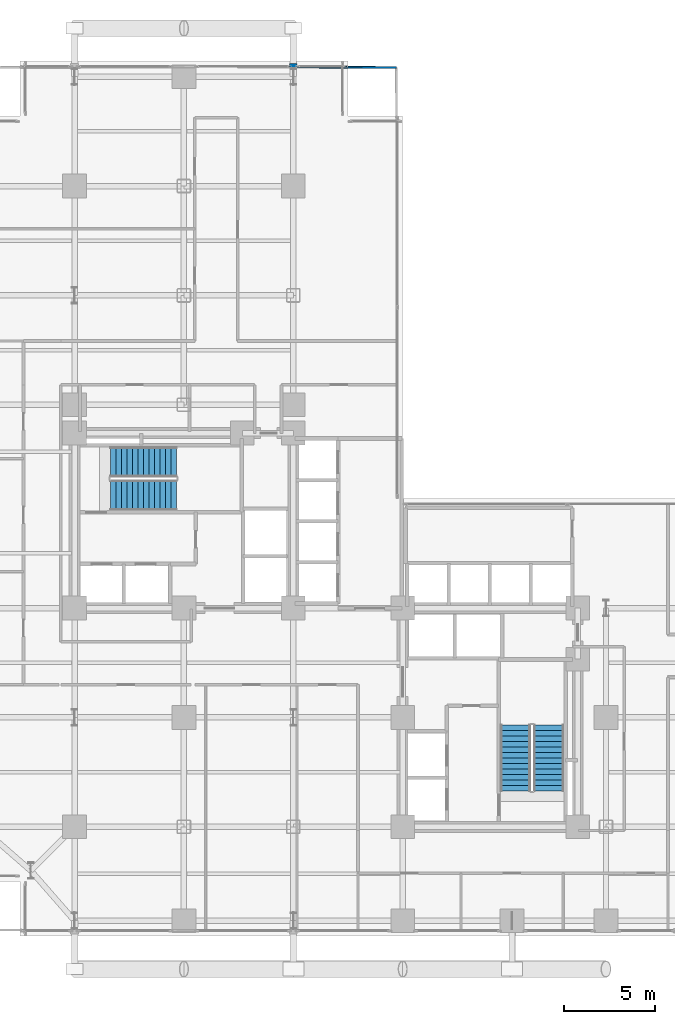
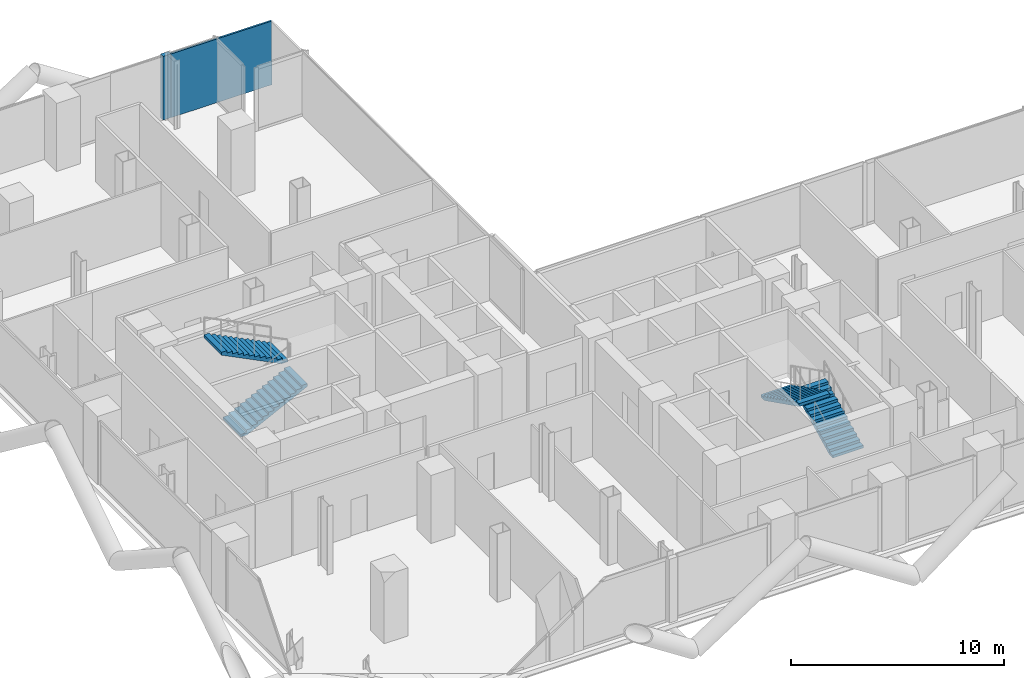
# One storey, part 24 of 27: 4 stair flights, 2 walls, 2 elements without a shape of their own.
"""IFC4 building model written with IfcOpenShell, lengths in metres."""

import ifcopenshell
import ifcopenshell.guid

model = None  # the IFC model being written
_history = None  # IfcOwnerHistory: only IFC2X3 demands one
_inside = {}  # id of a spatial element -> (the spatial element, [elements in it])
_under = {}  # id of a project, library or spatial element -> (it, [spatial elements below it])
_declared = {}  # id of a project -> (the project, [libraries it declares])
_typed = {}  # id of a type object -> (the type object, [elements of that type])
_made_of = {}  # id of a material, layer set ... -> (it, [elements and type objects made of it])


def new_model(schema):
    """Start an empty IFC model of exactly this schema.

    Asked for "IFC4X3", IfcOpenShell would pick the latest addendum, in which some entities
    have other attributes; the version numbers below select the first issue.
    IFC2X3 requires an IfcOwnerHistory on every rooted entity: one is made here for all.
    """
    global model, _history
    if schema == "IFC4X3":
        model = ifcopenshell.file(schema_version=(4, 3, 0, 0))
    else:
        model = ifcopenshell.file(schema=schema)
    _inside.clear()
    _under.clear()
    _declared.clear()
    _typed.clear()
    _made_of.clear()
    _history = None
    if model.schema == "IFC2X3":
        org = make("IfcOrganization", Name="unknown")
        user = make(
            "IfcPersonAndOrganization",
            ThePerson=make("IfcPerson", FamilyName="unknown"),
            TheOrganization=org,
        )
        app = make(
            "IfcApplication",
            ApplicationDeveloper=org,
            Version="unknown",
            ApplicationFullName="unknown",
            ApplicationIdentifier="unknown",
        )
        _history = make(
            "IfcOwnerHistory",
            OwningUser=user,
            OwningApplication=app,
            ChangeAction="ADDED",
            CreationDate=0,
        )
    return model


def make(cls, **values):
    """One entity of the class cls with the attributes given. An attribute that is None is left unset."""
    return model.create_entity(
        cls, **{name: value for name, value in values.items() if value is not None}
    )


def rooted(cls, **values):
    """An entity with a GlobalId (a new one), such as an element, a storey or a relation."""
    return make(cls, GlobalId=ifcopenshell.guid.new(), OwnerHistory=_history, **values)


def si_unit(unit_type, name, prefix=None):
    """IfcSIUnit, for example si_unit("LENGTHUNIT", "METRE", prefix="MILLI")."""
    return make("IfcSIUnit", UnitType=unit_type, Prefix=prefix, Name=name)


def assignment(units):
    """IfcUnitAssignment: the units of a project."""
    return None if units is None else make("IfcUnitAssignment", Units=units)


def point(xyz):
    """IfcCartesianPoint."""
    return None if xyz is None else make("IfcCartesianPoint", Coordinates=xyz)


def direction(xyz):
    """IfcDirection."""
    return None if xyz is None else make("IfcDirection", DirectionRatios=xyz)


def frame(location, z_axis=None, x_axis=None):
    """IfcAxis2Placement3D, a coordinate frame: its origin and axes. An axis left out is left unset."""
    return make(
        "IfcAxis2Placement3D",
        Location=point(location),
        Axis=direction(z_axis),
        RefDirection=direction(x_axis),
    )


def frame_2d(location, x_axis=None):
    """IfcAxis2Placement2D, a coordinate frame in the plane: its origin and x axis."""
    return make(
        "IfcAxis2Placement2D", Location=point(location), RefDirection=direction(x_axis)
    )


def origin():
    """The frame at (0, 0, 0) with its axes left unset."""
    return frame((0.0, 0.0, 0.0))


def place(relative_to, where):
    """IfcLocalPlacement: puts the frame where relative to a parent placement (None: the world)."""
    return make(
        "IfcLocalPlacement", PlacementRelTo=relative_to, RelativePlacement=where
    )


def context(
    kind, dimensions, precision=None, world=None, true_north=None, identifier=None
):
    """IfcGeometricRepresentationContext, for example the 3D "Model" context."""
    return make(
        "IfcGeometricRepresentationContext",
        ContextIdentifier=identifier,
        ContextType=kind,
        CoordinateSpaceDimension=dimensions,
        Precision=precision,
        WorldCoordinateSystem=world,
        TrueNorth=true_north,
    )


def subcontext(parent, identifier, kind, view, scale=None):
    """IfcGeometricRepresentationSubContext, for example "Body" below "Model"."""
    return make(
        "IfcGeometricRepresentationSubContext",
        ContextIdentifier=identifier,
        ContextType=kind,
        ParentContext=parent,
        TargetScale=scale,
        TargetView=view,
    )


def project(units=None, contexts=None):
    """IfcProject with its units and contexts."""
    return rooted(
        "IfcProject",
        Name="project",
        RepresentationContexts=contexts,
        UnitsInContext=assignment(units),
    )


def spatial(cls, under=None, at=None, **own):
    """A site, building, storey or space (cls), placed at a placement, below another one or the project."""
    s = rooted(cls, ObjectPlacement=at, **own)
    if under is not None:
        _under.setdefault(under.id(), (under, []))[1].append(s)
    return s


def polyline(points):
    """IfcPolyline through the points."""
    return make("IfcPolyline", Points=[point(p) for p in points])


def profile(cls, at=None, kind="AREA", **sizes):
    """A parametric profile (cls). Its sizes go by their IFC names, for example OverallWidth=200.0."""
    return make(cls, ProfileType=kind, Position=at, **sizes)


def rectangle(**sizes):
    """IfcRectangleProfileDef."""
    return profile("IfcRectangleProfileDef", **sizes)


def outline(outer, holes=None, kind="AREA"):
    """IfcArbitraryClosedProfileDef: a profile drawn as a closed curve; with holes, ...WithVoids."""
    if holes is None:
        return make("IfcArbitraryClosedProfileDef", ProfileType=kind, OuterCurve=outer)
    return make(
        "IfcArbitraryProfileDefWithVoids",
        ProfileType=kind,
        OuterCurve=outer,
        InnerCurves=holes,
    )


def extrude(swept, where, along, depth):
    """IfcExtrudedAreaSolid: the profile swept, set in the frame where, extruded along a direction by depth."""
    return make(
        "IfcExtrudedAreaSolid",
        SweptArea=swept,
        Position=where,
        ExtrudedDirection=direction(along),
        Depth=depth,
    )


def shape(context_of_items, identifier, shape_type, items):
    """IfcShapeRepresentation: the items that make up one representation, for example the "Body"."""
    return make(
        "IfcShapeRepresentation",
        ContextOfItems=context_of_items,
        RepresentationIdentifier=identifier,
        RepresentationType=shape_type,
        Items=items,
    )


def material(Name=None, Category=None):
    """IfcMaterial."""
    return make("IfcMaterial", Name=Name, Category=Category)


def layer(
    of_material, thickness, ventilated=None, Name=None, Category=None, Priority=None
):
    """IfcMaterialLayer: one layer of a wall or slab, of a material (None: an air gap)."""
    return make(
        "IfcMaterialLayer",
        Material=of_material,
        LayerThickness=thickness,
        IsVentilated=ventilated,
        Name=Name,
        Category=Category,
        Priority=Priority,
    )


def layer_set(layers, Name=None):
    """IfcMaterialLayerSet."""
    return make("IfcMaterialLayerSet", MaterialLayers=layers, LayerSetName=Name)


def made_of(thing, what):
    """Note that an element or type object is made of a material, layer set ...; save() writes the relation."""
    if what is not None:
        _made_of.setdefault(what.id(), (what, []))[1].append(thing)
    return thing


def type_object(cls, material=None, **own):
    """A type object (cls), such as IfcWallType, which elements share."""
    return made_of(rooted(cls, **own), material)


def element(
    cls,
    number,
    at=None,
    inside=None,
    cuts=None,
    type_object=None,
    material=None,
    context=None,
    identifier="Body",
    shape_type=None,
    held_by="IfcProductDefinitionShape",
    body=None,
    shapes=None,
    **own,
):
    """One element of the class cls, such as IfcWall. Its Tag is "e" and its number.

    at: its placement. inside: the storey or other place that contains it. cuts: it is an
    opening in that element (IfcRelVoidsElement). A single representation is given by context,
    identifier, shape_type and body (its items); several are given by shapes. held_by: the class
    of the entity that holds the representations. save() writes the other relations.
    """
    e = rooted(cls, Tag="e%d" % number, ObjectPlacement=at, **own)
    if body is not None:
        shapes = [shape(context, identifier, shape_type, body)]
    if shapes is not None:
        e.Representation = make(held_by, Representations=shapes)
    if inside is not None:
        _inside.setdefault(inside.id(), (inside, []))[1].append(e)
    if cuts is not None:
        rooted(
            "IfcRelVoidsElement", RelatingBuildingElement=cuts, RelatedOpeningElement=e
        )
    if type_object is not None:
        _typed.setdefault(type_object.id(), (type_object, []))[1].append(e)
    return made_of(e, material)


def aggregate(whole, parts):
    """IfcRelAggregates: a whole, such as a stair, and the parts it consists of."""
    return rooted("IfcRelAggregates", RelatingObject=whole, RelatedObjects=parts)


def save(model, path):
    """Write the relations noted so far, then the file.

    IfcRelAggregates (storeys below a building ...), IfcRelContainedInSpatialStructure (elements
    in a storey), IfcRelDefinesByType, IfcRelAssociatesMaterial and IfcRelDeclares: one each for
    every whole, place, type object, material and project.
    """
    for whole, parts in _under.values():
        aggregate(whole, parts)
    for where, things in _inside.values():
        rooted(
            "IfcRelContainedInSpatialStructure",
            RelatedElements=things,
            RelatingStructure=where,
        )
    for kind, things in _typed.values():
        rooted("IfcRelDefinesByType", RelatedObjects=things, RelatingType=kind)
    for what, things in _made_of.values():
        rooted("IfcRelAssociatesMaterial", RelatedObjects=things, RelatingMaterial=what)
    for by, libraries in _declared.values():
        rooted("IfcRelDeclares", RelatingContext=by, RelatedDefinitions=libraries)
    model.write(path)


model = new_model("IFC4")

# Units and contexts
model_context = context("Model", 3, precision=1e-05, world=origin(), true_north=direction((0.0, 1.0)))
body_context = subcontext(model_context, "Body", "Model", "MODEL_VIEW")
ifc_project = project(units=[si_unit("LENGTHUNIT", "METRE"), si_unit("AREAUNIT", "SQUARE_METRE"), si_unit("VOLUMEUNIT", "CUBIC_METRE"), si_unit("PLANEANGLEUNIT", "RADIAN"), si_unit("MASSUNIT", "GRAM", prefix="KILO"), si_unit("THERMODYNAMICTEMPERATUREUNIT", "KELVIN"), si_unit("POWERUNIT", "WATT")], contexts=[model_context])

# Site, building, storey
site_placement = place(None, origin())
site = spatial("IfcSite", under=ifc_project, at=site_placement, CompositionType="ELEMENT")
building_placement = place(site_placement, origin())
building = spatial("IfcBuilding", under=site, at=building_placement, Name="Svarakhadi Broadcast Tower", CompositionType="ELEMENT")
storey_placement = place(building_placement, frame((0.0, 0.0, 40.199951171875)))
storey = spatial("IfcBuildingStorey", under=building, at=storey_placement, Name="L08", CompositionType="ELEMENT", Elevation=40.199951171875)

# Walls
ifc_material_1 = material(Name="Concrete C40/50 (IS 456 M50)", Category="concrete")
ifc_layer_1 = layer(ifc_material_1, 0.239990234375)
ifc_layer_set_1 = layer_set([ifc_layer_1], Name="Concrete C40/50 (IS 456 M50)")
wall_type_1 = type_object("IfcWallType", Name="Wall_Ext_240", PredefinedType="SOLIDWALL", material=ifc_layer_set_1)
wall_1_placement = place(storey_placement, frame((17.784912109375, 47.760009765625, 0.0), z_axis=(0.0, 0.0, 1.0), x_axis=(1.0, 0.0, 0.0)))
element("IfcWall", 1, at=wall_1_placement, inside=storey, type_object=wall_type_1, Name="L08 Perimeter Bronze Spandrel Closure Wall 02", PredefinedType="SOLIDWALL", context=body_context, shape_type="SweptSolid", body=[
    extrude(rectangle(XDim=0.43017578125, YDim=0.239990234375, at=frame_2d((0.215087890625, 0.0))), origin(), (0.0, 0.0, 1.0), 3.650146484375),
])
ifc_material_2 = material(Name="Fire-Rated Moisture-Resistant Gypsum Board Partition", Category="gypsum")
ifc_layer_2 = layer(ifc_material_2, 0.10009765625)
ifc_layer_set_2 = layer_set([ifc_layer_2], Name="Fire-Rated Moisture-Resistant Gypsum Board Partition")
wall_type_2 = type_object("IfcWallType", Name="Wall_Part_100", PredefinedType="PARTITIONING", material=ifc_layer_set_2)
wall_2_placement = place(storey_placement, frame((18.215087890625, 47.68115234375, 0.0), z_axis=(0.0, 0.0, 1.0), x_axis=(0.999983469354, -0.005749871258, 0.0)))
element("IfcWall", 2, at=wall_2_placement, inside=storey, type_object=wall_type_2, Name="L08 Broadcast Assignment Hub Wall", PredefinedType="PARTITIONING", context=body_context, shape_type="SweptSolid", body=[
    extrude(rectangle(XDim=5.434814453125, YDim=0.10009765625, at=frame_2d((2.71728515625, 0.0))), origin(), (0.0, 0.0, 1.0), 3.650146484375),
])

# Stair, stair flights
stair_type = type_object("IfcStairType", Name="Stair_Exit_Core", PredefinedType="HALF_TURN_STAIR", material=ifc_material_1)
stair_1_placement = place(storey_placement, origin())
stair_1 = element("IfcStair", 3, at=stair_1_placement, inside=storey, type_object=stair_type, Name="L08 West Core Protected Exit Stair ST-01", PredefinedType="HALF_TURN_STAIR")
stair_flight_type = type_object("IfcStairFlightType", Name="Flight_RC_1680", PredefinedType="STRAIGHT", material=ifc_material_1)
stair_flight_1_placement = place(storey_placement, frame((7.97998046875, 24.18994140625, 0.0), z_axis=(0.0, 0.0, 1.0), x_axis=(1.0, 0.0, 0.0)))
stair_flight_1 = element("IfcStairFlight", 4, at=stair_flight_1_placement, type_object=stair_flight_type, Name="ST-01 flight 1", NumberOfRisers=13, NumberOfTreads=12, PredefinedType="STRAIGHT", RiserHeight=0.15, TreadLength=0.3, context=body_context, shape_type="SweptSolid", body=[
    extrude(outline(polyline([(0.0, 0.0), (0.0, 0.14990234375), (0.300048828125, 0.14990234375), (0.300048828125, 0.300048828125), (0.60009765625, 0.300048828125), (0.60009765625, 0.449951171875), (0.89990234375, 0.449951171875), (0.89990234375, 0.60009765625), (1.199951171875, 0.60009765625), (1.199951171875, 0.75), (1.5, 0.75), (1.5, 0.89990234375), (1.800048828125, 0.89990234375), (1.800048828125, 1.050048828125), (2.10009765625, 1.050048828125), (2.10009765625, 1.199951171875), (2.39990234375, 1.199951171875), (2.39990234375, 1.35009765625), (2.699951171875, 1.35009765625), (2.699951171875, 1.5), (3.0, 1.5), (3.0, 1.64990234375), (3.300048828125, 1.64990234375), (3.300048828125, 1.800048828125), (3.60009765625, 1.800048828125), (3.60009765625, 1.949951171875), (3.60009765625, 1.63232421875), (0.335205078125, 0.0), (0.0, 0.0)])), frame((0.0, 0.830078125, 0.0), z_axis=(0.0, -1.0, 0.0), x_axis=(1.0, 0.0, 0.0)), (0.0, 0.0, 1.0), 1.659912109375),
])
stair_flight_2_placement = place(storey_placement, frame((11.580078125, 26.010009765625, 1.949951171875), z_axis=(0.0, 0.0, 1.0), x_axis=(-1.0, 0.0, 0.0)))
stair_flight_2 = element("IfcStairFlight", 5, at=stair_flight_2_placement, type_object=stair_flight_type, Name="ST-01 flight 2", NumberOfRisers=13, NumberOfTreads=12, PredefinedType="STRAIGHT", RiserHeight=0.15, TreadLength=0.3, context=body_context, shape_type="SweptSolid", body=[
    extrude(outline(polyline([(0.0, 0.0), (0.0, 0.14990234375), (0.300048828125, 0.14990234375), (0.300048828125, 0.300048828125), (0.60009765625, 0.300048828125), (0.60009765625, 0.449951171875), (0.89990234375, 0.449951171875), (0.89990234375, 0.60009765625), (1.199951171875, 0.60009765625), (1.199951171875, 0.75), (1.5, 0.75), (1.5, 0.89990234375), (1.800048828125, 0.89990234375), (1.800048828125, 1.050048828125), (2.10009765625, 1.050048828125), (2.10009765625, 1.199951171875), (2.39990234375, 1.199951171875), (2.39990234375, 1.35009765625), (2.699951171875, 1.35009765625), (2.699951171875, 1.5), (3.0, 1.5), (3.0, 1.64990234375), (3.300048828125, 1.64990234375), (3.300048828125, 1.800048828125), (3.60009765625, 1.800048828125), (3.60009765625, 1.949951171875), (3.60009765625, 1.63232421875), (0.335205078125, 0.0), (0.0, 0.0)])), frame((0.0, 0.830078125, 0.0), z_axis=(0.0, -1.0, 0.0), x_axis=(1.0, 0.0, 0.0)), (0.0, 0.0, 1.0), 1.659912109375),
])
aggregate(stair_1, [stair_flight_1, stair_flight_2])

stair_2_placement = place(storey_placement, origin())
stair_2 = element("IfcStair", 6, at=stair_2_placement, inside=storey, type_object=stair_type, Name="L08 East Core Protected Exit Stair ST-02", PredefinedType="HALF_TURN_STAIR")
stair_flight_3_placement = place(storey_placement, frame((32.010009765625, 7.97998046875, 0.0), z_axis=(0.0, 0.0, 1.0), x_axis=(0.0, 1.0, 0.0)))
stair_flight_3 = element("IfcStairFlight", 7, at=stair_flight_3_placement, type_object=stair_flight_type, Name="ST-02 flight 1", NumberOfRisers=13, NumberOfTreads=12, PredefinedType="STRAIGHT", RiserHeight=0.15, TreadLength=0.3, context=body_context, shape_type="SweptSolid", body=[
    extrude(outline(polyline([(0.0, 0.0), (0.0, 0.14990234375), (0.300048828125, 0.14990234375), (0.300048828125, 0.300048828125), (0.60009765625, 0.300048828125), (0.60009765625, 0.449951171875), (0.89990234375, 0.449951171875), (0.89990234375, 0.60009765625), (1.199951171875, 0.60009765625), (1.199951171875, 0.75), (1.5, 0.75), (1.5, 0.89990234375), (1.800048828125, 0.89990234375), (1.800048828125, 1.050048828125), (2.10009765625, 1.050048828125), (2.10009765625, 1.199951171875), (2.39990234375, 1.199951171875), (2.39990234375, 1.35009765625), (2.699951171875, 1.35009765625), (2.699951171875, 1.5), (3.0, 1.5), (3.0, 1.64990234375), (3.300048828125, 1.64990234375), (3.300048828125, 1.800048828125), (3.60009765625, 1.800048828125), (3.60009765625, 1.949951171875), (3.60009765625, 1.63232421875), (0.335205078125, 0.0), (0.0, 0.0)])), frame((0.0, 0.830078125, 0.0), z_axis=(0.0, -1.0, 0.0), x_axis=(1.0, 0.0, 0.0)), (0.0, 0.0, 1.0), 1.659912109375),
])
stair_flight_4_placement = place(storey_placement, frame((30.18994140625, 11.580078125, 1.949951171875), z_axis=(0.0, 0.0, 1.0), x_axis=(0.0, -1.0, 0.0)))
stair_flight_4 = element("IfcStairFlight", 8, at=stair_flight_4_placement, type_object=stair_flight_type, Name="ST-02 flight 2", NumberOfRisers=13, NumberOfTreads=12, PredefinedType="STRAIGHT", RiserHeight=0.15, TreadLength=0.3, context=body_context, shape_type="SweptSolid", body=[
    extrude(outline(polyline([(0.0, 0.0), (0.0, 0.14990234375), (0.300048828125, 0.14990234375), (0.300048828125, 0.300048828125), (0.60009765625, 0.300048828125), (0.60009765625, 0.449951171875), (0.89990234375, 0.449951171875), (0.89990234375, 0.60009765625), (1.199951171875, 0.60009765625), (1.199951171875, 0.75), (1.5, 0.75), (1.5, 0.89990234375), (1.800048828125, 0.89990234375), (1.800048828125, 1.050048828125), (2.10009765625, 1.050048828125), (2.10009765625, 1.199951171875), (2.39990234375, 1.199951171875), (2.39990234375, 1.35009765625), (2.699951171875, 1.35009765625), (2.699951171875, 1.5), (3.0, 1.5), (3.0, 1.64990234375), (3.300048828125, 1.64990234375), (3.300048828125, 1.800048828125), (3.60009765625, 1.800048828125), (3.60009765625, 1.949951171875), (3.60009765625, 1.63232421875), (0.335205078125, 0.0), (0.0, 0.0)])), frame((0.0, 0.830078125, 0.0), z_axis=(0.0, -1.0, 0.0), x_axis=(1.0, 0.0, 0.0)), (0.0, 0.0, 1.0), 1.659912109375),
])
aggregate(stair_2, [stair_flight_3, stair_flight_4])

save(model, "model.ifc")
